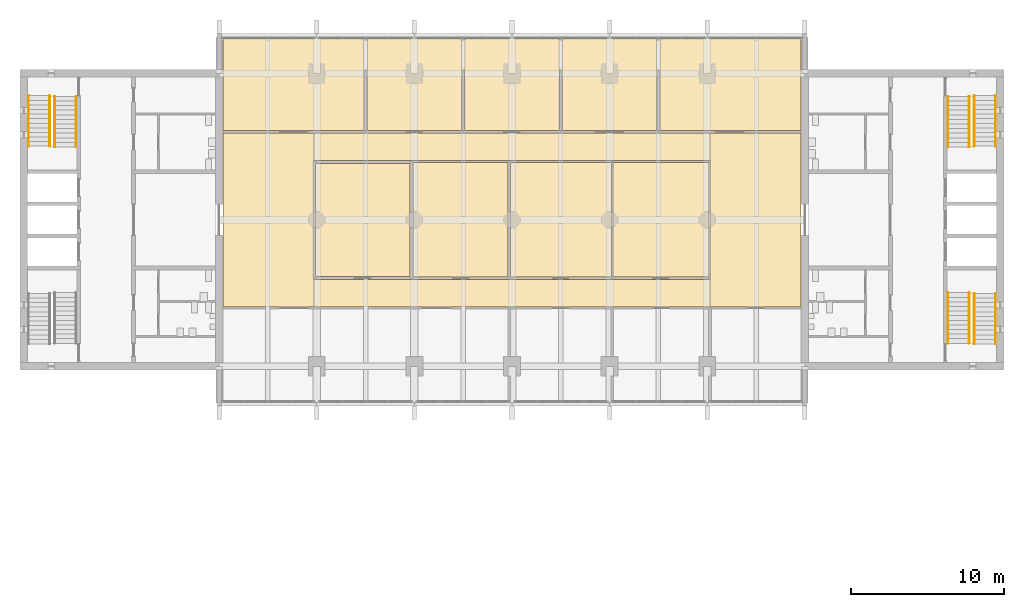
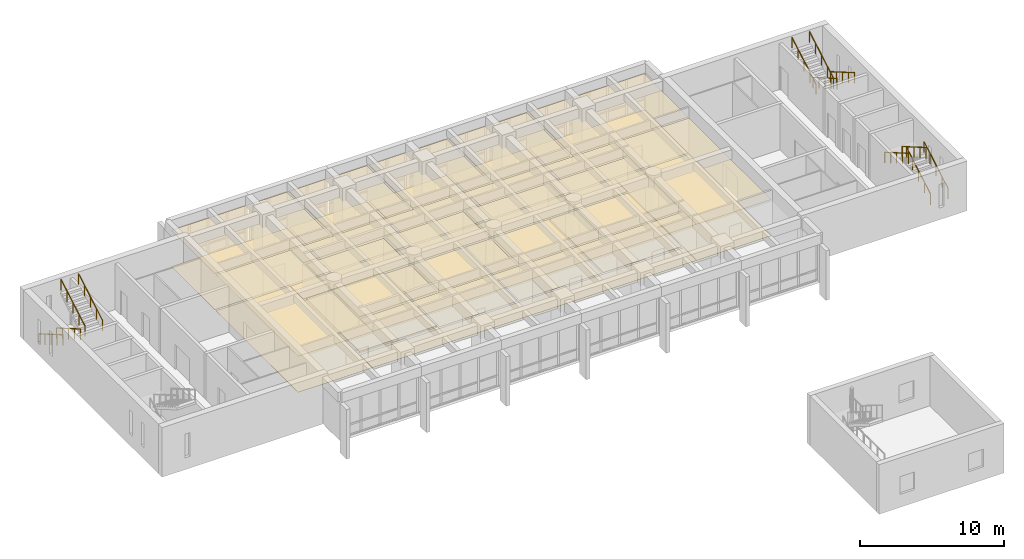
# One storey, part 17 of 18: 26 coverings, 12 railings.
"""IFC4 building model written with IfcOpenShell, lengths in metres."""

from ifc_helpers import new_model, si_unit, direction, frame, origin, origin_2d, place, context, subcontext, project, spatial, polyline, circle, outline, extrude, material, layer, layer_set, type_object, element, save


model = new_model("IFC4")

# Units and contexts
model_context = context("Model", 3, precision=1e-05, world=origin(), true_north=direction((0.0, 1.0)))
body_context = subcontext(model_context, "Body", "Model", "MODEL_VIEW")
ifc_project = project(units=[si_unit("LENGTHUNIT", "METRE"), si_unit("AREAUNIT", "SQUARE_METRE"), si_unit("VOLUMEUNIT", "CUBIC_METRE"), si_unit("PLANEANGLEUNIT", "RADIAN"), si_unit("MASSUNIT", "GRAM", prefix="KILO")], contexts=[model_context])

# Site, building, storey
site_placement = place(None, origin())
site = spatial("IfcSite", under=ifc_project, at=site_placement, CompositionType="ELEMENT")
building_placement = place(site_placement, origin())
building = spatial("IfcBuilding", under=site, at=building_placement, Name="Fogon Plaza Fire Station and Headquarters Tower", CompositionType="ELEMENT")
storey_placement = place(building_placement, frame((0.0, 0.0, 12.89990234375)))
storey = spatial("IfcBuildingStorey", under=building, at=storey_placement, Name="L03", CompositionType="ELEMENT", Elevation=12.89990234375)

# Railings
ifc_material_1 = material(Name="Steel", Category="steel")
railing_type = type_object("IfcRailingType", Name="Stair Handrail 900", PredefinedType="HANDRAIL", material=ifc_material_1)
for number, where, name in (
    (1, (13.10009765625, 51.340087890625, 0.175048828125), "Handrail ST2"),
    (2, (14.5, 51.340087890625, 0.175048828125), "Handrail ST2"),
):
    element("IfcRailing", number, at=place(storey_placement, frame(where)), inside=storey, type_object=railing_type, Name=name, PredefinedType="HANDRAIL", context=body_context, shape_type="SweptSolid", body=[
        extrude(circle(Radius=0.02392578125, at=origin_2d()), frame((0.0, 0.0, 0.8759765625), z_axis=(0.0, -0.864777349284, 0.502155490029), x_axis=(1.0, 0.0, 0.0)), (0.0, 0.0, 1.0), 3.83349609375),
        extrude(circle(Radius=0.02099609375, at=origin_2d()), origin(), (0.0, 0.0, 1.0), 0.851806640625),
        extrude(circle(Radius=0.02099609375, at=origin_2d()), frame((0.0, -0.828857421875, 0.481201171875)), (0.0, 0.0, 1.0), 0.851806640625),
        extrude(circle(Radius=0.02099609375, at=origin_2d()), frame((0.0, -1.65771484375, 0.96240234375)), (0.0, 0.0, 1.0), 0.851806640625),
        extrude(circle(Radius=0.02099609375, at=origin_2d()), frame((0.0, -2.486328125, 1.44384765625)), (0.0, 0.0, 1.0), 0.851806640625),
        extrude(circle(Radius=0.02099609375, at=origin_2d()), frame((0.0, -3.315185546875, 1.925048828125)), (0.0, 0.0, 1.0), 0.851806640625),
    ])
for number, where, name in (
    (3, (16.22509765625, 47.97509765625, 2.275146484375), "Handrail ST2"),
    (4, (14.824951171875, 47.97509765625, 2.275146484375), "Handrail ST2"),
    (5, (76.5, 35.06005859375, 0.175048828125), "Handrail ST3"),
    (6, (75.10009765625, 35.06005859375, 0.175048828125), "Handrail ST3"),
):
    element("IfcRailing", number, at=place(storey_placement, frame(where)), inside=storey, type_object=railing_type, Name=name, PredefinedType="HANDRAIL", context=body_context, shape_type="SweptSolid", body=[
        extrude(circle(Radius=0.02392578125, at=origin_2d()), frame((0.0, 0.0, 0.8759765625), z_axis=(0.0, 0.864761289162, 0.502183146637), x_axis=(-1.0, 0.0, 0.0)), (0.0, 0.0, 1.0), 3.833251953125),
        extrude(circle(Radius=0.02099609375, at=origin_2d()), origin(), (0.0, 0.0, 1.0), 0.851806640625),
        extrude(circle(Radius=0.02099609375, at=origin_2d()), frame((0.0, 0.82861328125, 0.481201171875)), (0.0, 0.0, 1.0), 0.851806640625),
        extrude(circle(Radius=0.02099609375, at=origin_2d()), frame((0.0, 1.657470703125, 0.96240234375)), (0.0, 0.0, 1.0), 0.851806640625),
        extrude(circle(Radius=0.02099609375, at=origin_2d()), frame((0.0, 2.486328125, 1.44384765625)), (0.0, 0.0, 1.0), 0.851806640625),
        extrude(circle(Radius=0.02099609375, at=origin_2d()), frame((0.0, 3.31494140625, 1.925048828125)), (0.0, 0.0, 1.0), 0.851806640625),
    ])
for number, where, name in (
    (7, (73.375, 38.425048828125, 2.275146484375), "Handrail ST3"),
    (8, (74.77490234375, 38.425048828125, 2.275146484375), "Handrail ST3"),
):
    element("IfcRailing", number, at=place(storey_placement, frame(where)), inside=storey, type_object=railing_type, Name=name, PredefinedType="HANDRAIL", context=body_context, shape_type="SweptSolid", body=[
        extrude(circle(Radius=0.02392578125, at=origin_2d()), frame((0.0, 0.0, 0.8759765625), z_axis=(0.0, -0.864761289162, 0.502183146637), x_axis=(1.0, 0.0, 0.0)), (0.0, 0.0, 1.0), 3.833251953125),
        extrude(circle(Radius=0.02099609375, at=origin_2d()), origin(), (0.0, 0.0, 1.0), 0.851806640625),
        extrude(circle(Radius=0.02099609375, at=origin_2d()), frame((0.0, -0.82861328125, 0.481201171875)), (0.0, 0.0, 1.0), 0.851806640625),
        extrude(circle(Radius=0.02099609375, at=origin_2d()), frame((0.0, -1.657470703125, 0.96240234375)), (0.0, 0.0, 1.0), 0.851806640625),
        extrude(circle(Radius=0.02099609375, at=origin_2d()), frame((0.0, -2.486328125, 1.44384765625)), (0.0, 0.0, 1.0), 0.851806640625),
        extrude(circle(Radius=0.02099609375, at=origin_2d()), frame((0.0, -3.31494140625, 1.925048828125)), (0.0, 0.0, 1.0), 0.851806640625),
    ])
for number, where, name in (
    (9, (76.5, 51.340087890625, 0.175048828125), "Handrail ST4"),
    (10, (75.10009765625, 51.340087890625, 0.175048828125), "Handrail ST4"),
):
    element("IfcRailing", number, at=place(storey_placement, frame(where)), inside=storey, type_object=railing_type, Name=name, PredefinedType="HANDRAIL", context=body_context, shape_type="SweptSolid", body=[
        extrude(circle(Radius=0.02392578125, at=origin_2d()), frame((0.0, 0.0, 0.8759765625), z_axis=(0.0, -0.864777349284, 0.502155490029), x_axis=(1.0, 0.0, 0.0)), (0.0, 0.0, 1.0), 3.83349609375),
        extrude(circle(Radius=0.02099609375, at=origin_2d()), origin(), (0.0, 0.0, 1.0), 0.851806640625),
        extrude(circle(Radius=0.02099609375, at=origin_2d()), frame((0.0, -0.828857421875, 0.481201171875)), (0.0, 0.0, 1.0), 0.851806640625),
        extrude(circle(Radius=0.02099609375, at=origin_2d()), frame((0.0, -1.65771484375, 0.96240234375)), (0.0, 0.0, 1.0), 0.851806640625),
        extrude(circle(Radius=0.02099609375, at=origin_2d()), frame((0.0, -2.486328125, 1.44384765625)), (0.0, 0.0, 1.0), 0.851806640625),
        extrude(circle(Radius=0.02099609375, at=origin_2d()), frame((0.0, -3.315185546875, 1.925048828125)), (0.0, 0.0, 1.0), 0.851806640625),
    ])
for number, where, name in (
    (11, (73.375, 47.97509765625, 2.275146484375), "Handrail ST4"),
    (12, (74.77490234375, 47.97509765625, 2.275146484375), "Handrail ST4"),
):
    element("IfcRailing", number, at=place(storey_placement, frame(where)), inside=storey, type_object=railing_type, Name=name, PredefinedType="HANDRAIL", context=body_context, shape_type="SweptSolid", body=[
        extrude(circle(Radius=0.02392578125, at=origin_2d()), frame((0.0, 0.0, 0.8759765625), z_axis=(0.0, 0.864761289162, 0.502183146637), x_axis=(-1.0, 0.0, 0.0)), (0.0, 0.0, 1.0), 3.833251953125),
        extrude(circle(Radius=0.02099609375, at=origin_2d()), origin(), (0.0, 0.0, 1.0), 0.851806640625),
        extrude(circle(Radius=0.02099609375, at=origin_2d()), frame((0.0, 0.82861328125, 0.481201171875)), (0.0, 0.0, 1.0), 0.851806640625),
        extrude(circle(Radius=0.02099609375, at=origin_2d()), frame((0.0, 1.657470703125, 0.96240234375)), (0.0, 0.0, 1.0), 0.851806640625),
        extrude(circle(Radius=0.02099609375, at=origin_2d()), frame((0.0, 2.486328125, 1.44384765625)), (0.0, 0.0, 1.0), 0.851806640625),
        extrude(circle(Radius=0.02099609375, at=origin_2d()), frame((0.0, 3.31494140625, 1.925048828125)), (0.0, 0.0, 1.0), 0.851806640625),
    ])

# Coverings
ifc_material_2 = material(Name="Acoustic ceiling tile")
ifc_layer_1 = layer(ifc_material_2, 0.050048828125)
ifc_layer_set_1 = layer_set([ifc_layer_1], Name="Acoustic ceiling tile")
covering_type_1 = type_object("IfcCoveringType", Name="Tower acoustic ceiling", PredefinedType="CEILING", material=ifc_layer_set_1)
covering_1_placement = place(storey_placement, frame((0.0, 0.0, 3.030029296875)))
element("IfcCovering", 13, at=covering_1_placement, inside=storey, type_object=covering_type_1, Name="cov-cl-L03-05", PredefinedType="CEILING", context=body_context, shape_type="SweptSolid", body=[
    extrude(outline(polyline([(38.1201171875, 39.5), (38.1201171875, 46.89990234375), (31.919921875, 46.89990234375), (31.919921875, 39.5), (38.1201171875, 39.5)])), origin(), (0.0, 0.0, 1.0), 0.050048828125),
])
covering_2_placement = place(storey_placement, frame((0.0, 0.0, 3.030029296875)))
element("IfcCovering", 14, at=covering_2_placement, inside=storey, type_object=covering_type_1, Name="cov-cl-L03-06", PredefinedType="CEILING", context=body_context, shape_type="SweptSolid", body=[
    extrude(outline(polyline([(44.532470703125, 39.449951171875), (44.532470703125, 46.949951171875), (38.320068359375, 46.949951171875), (38.320068359375, 39.449951171875), (44.532470703125, 39.449951171875)])), origin(), (0.0, 0.0, 1.0), 0.050048828125),
])
covering_3_placement = place(storey_placement, frame((0.0, 0.0, 3.030029296875)))
element("IfcCovering", 15, at=covering_3_placement, inside=storey, type_object=covering_type_1, Name="cov-cl-L03-10", PredefinedType="CEILING", context=body_context, shape_type="SweptSolid", body=[
    extrude(outline(polyline([(41.512451171875, 49.050048828125), (41.512451171875, 55.10009765625), (35.28759765625, 55.10009765625), (35.28759765625, 49.050048828125), (41.512451171875, 49.050048828125)])), origin(), (0.0, 0.0, 1.0), 0.050048828125),
])
covering_4_placement = place(storey_placement, frame((0.0, 0.0, 3.030029296875)))
element("IfcCovering", 16, at=covering_4_placement, inside=storey, type_object=covering_type_1, Name="cov-cl-L03-11", PredefinedType="CEILING", context=body_context, shape_type="SweptSolid", body=[
    extrude(outline(polyline([(47.91259765625, 49.050048828125), (47.91259765625, 55.10009765625), (41.6875, 55.10009765625), (41.6875, 49.050048828125), (47.91259765625, 49.050048828125)])), origin(), (0.0, 0.0, 1.0), 0.050048828125),
])
covering_5_placement = place(storey_placement, frame((0.0, 0.0, 3.030029296875)))
element("IfcCovering", 17, at=covering_5_placement, inside=storey, type_object=covering_type_1, Name="cov-cl-L03-12", PredefinedType="CEILING", context=body_context, shape_type="SweptSolid", body=[
    extrude(outline(polyline([(54.3125, 49.050048828125), (54.3125, 55.10009765625), (48.08740234375, 55.10009765625), (48.08740234375, 49.050048828125), (54.3125, 49.050048828125)])), origin(), (0.0, 0.0, 1.0), 0.050048828125),
])
ifc_material_3 = material(Name="Carpet tile")
ifc_layer_2 = layer(ifc_material_3, 0.011962890625)
ifc_layer_set_2 = layer_set([ifc_layer_2], Name="Carpet tile")
covering_type_2 = type_object("IfcCoveringType", Name="Tower carpet tile floor", PredefinedType="FLOORING", material=ifc_layer_set_2)
covering_6_placement = place(storey_placement, origin())
element("IfcCovering", 18, at=covering_6_placement, inside=storey, type_object=covering_type_2, Name="cov-fl-L03-07", PredefinedType="FLOORING", context=body_context, shape_type="SweptSolid", body=[
    extrude(outline(polyline([(51.330078125, 39.449951171875), (51.330078125, 46.949951171875), (44.70751953125, 46.949951171875), (44.70751953125, 39.449951171875), (51.330078125, 39.449951171875)])), origin(), (0.0, 0.0, 1.0), 0.01220703125),
])
covering_7_placement = place(storey_placement, origin())
element("IfcCovering", 19, at=covering_7_placement, inside=storey, type_object=covering_type_2, Name="cov-fl-L03-09", PredefinedType="FLOORING", context=body_context, shape_type="SweptSolid", body=[
    extrude(outline(polyline([(35.112548828125, 49.050048828125), (35.112548828125, 55.10009765625), (25.85009765625, 55.10009765625), (25.85009765625, 49.050048828125), (35.112548828125, 49.050048828125)])), origin(), (0.0, 0.0, 1.0), 0.01220703125),
])
covering_8_placement = place(storey_placement, origin())
element("IfcCovering", 20, at=covering_8_placement, inside=storey, type_object=covering_type_2, Name="cov-fl-L03-11", PredefinedType="FLOORING", context=body_context, shape_type="SweptSolid", body=[
    extrude(outline(polyline([(47.91259765625, 49.050048828125), (47.91259765625, 55.10009765625), (41.6875, 55.10009765625), (41.6875, 49.050048828125), (47.91259765625, 49.050048828125)])), origin(), (0.0, 0.0, 1.0), 0.01220703125),
])
covering_9_placement = place(storey_placement, origin())
element("IfcCovering", 21, at=covering_9_placement, inside=storey, type_object=covering_type_2, Name="cov-fl-L03-13", PredefinedType="FLOORING", context=body_context, shape_type="SweptSolid", body=[
    extrude(outline(polyline([(63.75, 49.050048828125), (63.75, 55.10009765625), (54.487548828125, 55.10009765625), (54.487548828125, 49.050048828125), (63.75, 49.050048828125)])), origin(), (0.0, 0.0, 1.0), 0.01220703125),
])
ifc_material_4 = material(Name="Heavy duty carpet tile")
ifc_layer_3 = layer(ifc_material_4, 0.013916015625)
ifc_layer_set_3 = layer_set([ifc_layer_3], Name="Heavy duty carpet tile")
covering_type_3 = type_object("IfcCoveringType", Name="Tower corridor carpet floor", PredefinedType="FLOORING", material=ifc_layer_set_3)
covering_10_placement = place(storey_placement, origin())
element("IfcCovering", 22, at=covering_10_placement, inside=storey, type_object=covering_type_3, Name="cov-fl-L03-14", PredefinedType="FLOORING", context=body_context, shape_type="SweptSolid", body=[
    extrude(outline(polyline([(57.780029296875, 37.5), (57.780029296875, 39.300048828125), (31.820068359375, 39.300048828125), (31.820068359375, 37.5), (57.780029296875, 37.5)])), origin(), (0.0, 0.0, 1.0), 0.01416015625),
])
covering_11_placement = place(storey_placement, origin())
element("IfcCovering", 23, at=covering_11_placement, inside=storey, type_object=covering_type_3, Name="cov-fl-L03-15", PredefinedType="FLOORING", context=body_context, shape_type="SweptSolid", body=[
    extrude(outline(polyline([(57.780029296875, 47.10009765625), (57.780029296875, 48.89990234375), (31.820068359375, 48.89990234375), (31.820068359375, 47.10009765625), (57.780029296875, 47.10009765625)])), origin(), (0.0, 0.0, 1.0), 0.01416015625),
])
covering_12_placement = place(storey_placement, origin())
element("IfcCovering", 24, at=covering_12_placement, inside=storey, type_object=covering_type_3, Name="cov-fl-L03-16", PredefinedType="FLOORING", context=body_context, shape_type="SweptSolid", body=[
    extrude(outline(polyline([(31.820068359375, 37.5), (31.820068359375, 48.89990234375), (25.85009765625, 48.89990234375), (25.85009765625, 37.5), (31.820068359375, 37.5)])), origin(), (0.0, 0.0, 1.0), 0.01416015625),
])
covering_13_placement = place(storey_placement, origin())
element("IfcCovering", 25, at=covering_13_placement, inside=storey, type_object=covering_type_3, Name="cov-fl-L03-17", PredefinedType="FLOORING", context=body_context, shape_type="SweptSolid", body=[
    extrude(outline(polyline([(63.75, 37.5), (63.75, 48.89990234375), (57.780029296875, 48.89990234375), (57.780029296875, 37.5), (63.75, 37.5)])), origin(), (0.0, 0.0, 1.0), 0.01416015625),
])
ifc_material_5 = material(Name="Plasterboard ceiling")
ifc_layer_4 = layer(ifc_material_5, 0.030029296875)
ifc_layer_set_4 = layer_set([ifc_layer_4], Name="Plasterboard ceiling")
covering_type_4 = type_object("IfcCoveringType", Name="Tower plasterboard ceiling", PredefinedType="CEILING", material=ifc_layer_set_4)
covering_14_placement = place(storey_placement, frame((0.0, 0.0, 3.050048828125)))
element("IfcCovering", 26, at=covering_14_placement, inside=storey, type_object=covering_type_4, Name="cov-cl-L03-14", PredefinedType="CEILING", context=body_context, shape_type="SweptSolid", body=[
    extrude(outline(polyline([(57.780029296875, 37.5), (57.780029296875, 39.300048828125), (31.820068359375, 39.300048828125), (31.820068359375, 37.5), (57.780029296875, 37.5)])), origin(), (0.0, 0.0, 1.0), 0.030029296875),
])
covering_15_placement = place(storey_placement, frame((0.0, 0.0, 3.050048828125)))
element("IfcCovering", 27, at=covering_15_placement, inside=storey, type_object=covering_type_4, Name="cov-cl-L03-15", PredefinedType="CEILING", context=body_context, shape_type="SweptSolid", body=[
    extrude(outline(polyline([(57.780029296875, 47.10009765625), (57.780029296875, 48.89990234375), (31.820068359375, 48.89990234375), (31.820068359375, 47.10009765625), (57.780029296875, 47.10009765625)])), origin(), (0.0, 0.0, 1.0), 0.030029296875),
])
covering_16_placement = place(storey_placement, frame((0.0, 0.0, 3.050048828125)))
element("IfcCovering", 28, at=covering_16_placement, inside=storey, type_object=covering_type_4, Name="cov-cl-L03-16", PredefinedType="CEILING", context=body_context, shape_type="SweptSolid", body=[
    extrude(outline(polyline([(31.820068359375, 37.5), (31.820068359375, 48.89990234375), (25.85009765625, 48.89990234375), (25.85009765625, 37.5), (31.820068359375, 37.5)])), origin(), (0.0, 0.0, 1.0), 0.030029296875),
])
covering_17_placement = place(storey_placement, frame((0.0, 0.0, 3.050048828125)))
element("IfcCovering", 29, at=covering_17_placement, inside=storey, type_object=covering_type_4, Name="cov-cl-L03-17", PredefinedType="CEILING", context=body_context, shape_type="SweptSolid", body=[
    extrude(outline(polyline([(63.75, 37.5), (63.75, 48.89990234375), (57.780029296875, 48.89990234375), (57.780029296875, 37.5), (63.75, 37.5)])), origin(), (0.0, 0.0, 1.0), 0.030029296875),
])
ifc_material_6 = material(Name="Raised access floor panels")
ifc_layer_5 = layer(ifc_material_6, 0.14990234375)
ifc_layer_set_5 = layer_set([ifc_layer_5], Name="Raised access floor panels")
covering_type_5 = type_object("IfcCoveringType", Name="Tower raised access floor", PredefinedType="FLOORING", material=ifc_layer_set_5)
covering_18_placement = place(storey_placement, origin())
element("IfcCovering", 30, at=covering_18_placement, inside=storey, type_object=covering_type_5, Name="cov-fl-L03-05", PredefinedType="FLOORING", context=body_context, shape_type="SweptSolid", body=[
    extrude(outline(polyline([(38.1201171875, 39.5), (38.1201171875, 46.89990234375), (31.919921875, 46.89990234375), (31.919921875, 39.5), (38.1201171875, 39.5)])), origin(), (0.0, 0.0, 1.0), 0.150146484375),
])
ifc_material_7 = material(Name="Sealed cement screed")
ifc_layer_6 = layer(ifc_material_7, 0.030029296875)
ifc_layer_set_6 = layer_set([ifc_layer_6], Name="Sealed cement screed")
covering_type_6 = type_object("IfcCoveringType", Name="Tower sealed screed floor", PredefinedType="FLOORING", material=ifc_layer_set_6)
covering_19_placement = place(storey_placement, origin())
element("IfcCovering", 31, at=covering_19_placement, inside=storey, type_object=covering_type_6, Name="cov-fl-L03-08", PredefinedType="FLOORING", context=body_context, shape_type="SweptSolid", body=[
    extrude(outline(polyline([(57.705078125, 39.449951171875), (57.705078125, 46.949951171875), (51.429931640625, 46.949951171875), (51.429931640625, 39.449951171875), (57.705078125, 39.449951171875)])), origin(), (0.0, 0.0, 1.0), 0.030029296875),
])
ifc_material_8 = material(Name="Mineral fibre ceiling tile")
ifc_layer_7 = layer(ifc_material_8, 0.0400390625)
ifc_layer_set_7 = layer_set([ifc_layer_7], Name="Mineral fibre ceiling tile")
covering_type_7 = type_object("IfcCoveringType", Name="Tower suspended tile ceiling", PredefinedType="CEILING", material=ifc_layer_set_7)
covering_20_placement = place(storey_placement, frame((0.0, 0.0, 3.0400390625)))
element("IfcCovering", 32, at=covering_20_placement, inside=storey, type_object=covering_type_7, Name="cov-cl-L03-07", PredefinedType="CEILING", context=body_context, shape_type="SweptSolid", body=[
    extrude(outline(polyline([(51.330078125, 39.449951171875), (51.330078125, 46.949951171875), (44.70751953125, 46.949951171875), (44.70751953125, 39.449951171875), (51.330078125, 39.449951171875)])), origin(), (0.0, 0.0, 1.0), 0.0400390625),
])
covering_21_placement = place(storey_placement, frame((0.0, 0.0, 3.0400390625)))
element("IfcCovering", 33, at=covering_21_placement, inside=storey, type_object=covering_type_7, Name="cov-cl-L03-08", PredefinedType="CEILING", context=body_context, shape_type="SweptSolid", body=[
    extrude(outline(polyline([(57.705078125, 39.449951171875), (57.705078125, 46.949951171875), (51.429931640625, 46.949951171875), (51.429931640625, 39.449951171875), (57.705078125, 39.449951171875)])), origin(), (0.0, 0.0, 1.0), 0.0400390625),
])
covering_22_placement = place(storey_placement, frame((0.0, 0.0, 3.0400390625)))
element("IfcCovering", 34, at=covering_22_placement, inside=storey, type_object=covering_type_7, Name="cov-cl-L03-09", PredefinedType="CEILING", context=body_context, shape_type="SweptSolid", body=[
    extrude(outline(polyline([(35.112548828125, 49.050048828125), (35.112548828125, 55.10009765625), (25.85009765625, 55.10009765625), (25.85009765625, 49.050048828125), (35.112548828125, 49.050048828125)])), origin(), (0.0, 0.0, 1.0), 0.0400390625),
])
covering_23_placement = place(storey_placement, frame((0.0, 0.0, 3.0400390625)))
element("IfcCovering", 35, at=covering_23_placement, inside=storey, type_object=covering_type_7, Name="cov-cl-L03-13", PredefinedType="CEILING", context=body_context, shape_type="SweptSolid", body=[
    extrude(outline(polyline([(63.75, 49.050048828125), (63.75, 55.10009765625), (54.487548828125, 55.10009765625), (54.487548828125, 49.050048828125), (63.75, 49.050048828125)])), origin(), (0.0, 0.0, 1.0), 0.0400390625),
])
ifc_material_9 = material(Name="Vinyl sheet")
ifc_layer_8 = layer(ifc_material_9, 0.010009765625)
ifc_layer_set_8 = layer_set([ifc_layer_8], Name="Vinyl sheet")
covering_type_8 = type_object("IfcCoveringType", Name="Tower vinyl floor", PredefinedType="FLOORING", material=ifc_layer_set_8)
covering_24_placement = place(storey_placement, origin())
element("IfcCovering", 36, at=covering_24_placement, inside=storey, type_object=covering_type_8, Name="cov-fl-L03-06", PredefinedType="FLOORING", context=body_context, shape_type="SweptSolid", body=[
    extrude(outline(polyline([(44.532470703125, 39.449951171875), (44.532470703125, 46.949951171875), (38.320068359375, 46.949951171875), (38.320068359375, 39.449951171875), (44.532470703125, 39.449951171875)])), origin(), (0.0, 0.0, 1.0), 0.010009765625),
])
covering_25_placement = place(storey_placement, origin())
element("IfcCovering", 37, at=covering_25_placement, inside=storey, type_object=covering_type_8, Name="cov-fl-L03-10", PredefinedType="FLOORING", context=body_context, shape_type="SweptSolid", body=[
    extrude(outline(polyline([(41.512451171875, 49.050048828125), (41.512451171875, 55.10009765625), (35.28759765625, 55.10009765625), (35.28759765625, 49.050048828125), (41.512451171875, 49.050048828125)])), origin(), (0.0, 0.0, 1.0), 0.010009765625),
])
covering_26_placement = place(storey_placement, origin())
element("IfcCovering", 38, at=covering_26_placement, inside=storey, type_object=covering_type_8, Name="cov-fl-L03-12", PredefinedType="FLOORING", context=body_context, shape_type="SweptSolid", body=[
    extrude(outline(polyline([(54.3125, 49.050048828125), (54.3125, 55.10009765625), (48.08740234375, 55.10009765625), (48.08740234375, 49.050048828125), (54.3125, 49.050048828125)])), origin(), (0.0, 0.0, 1.0), 0.010009765625),
])

save(model, "model.ifc")
